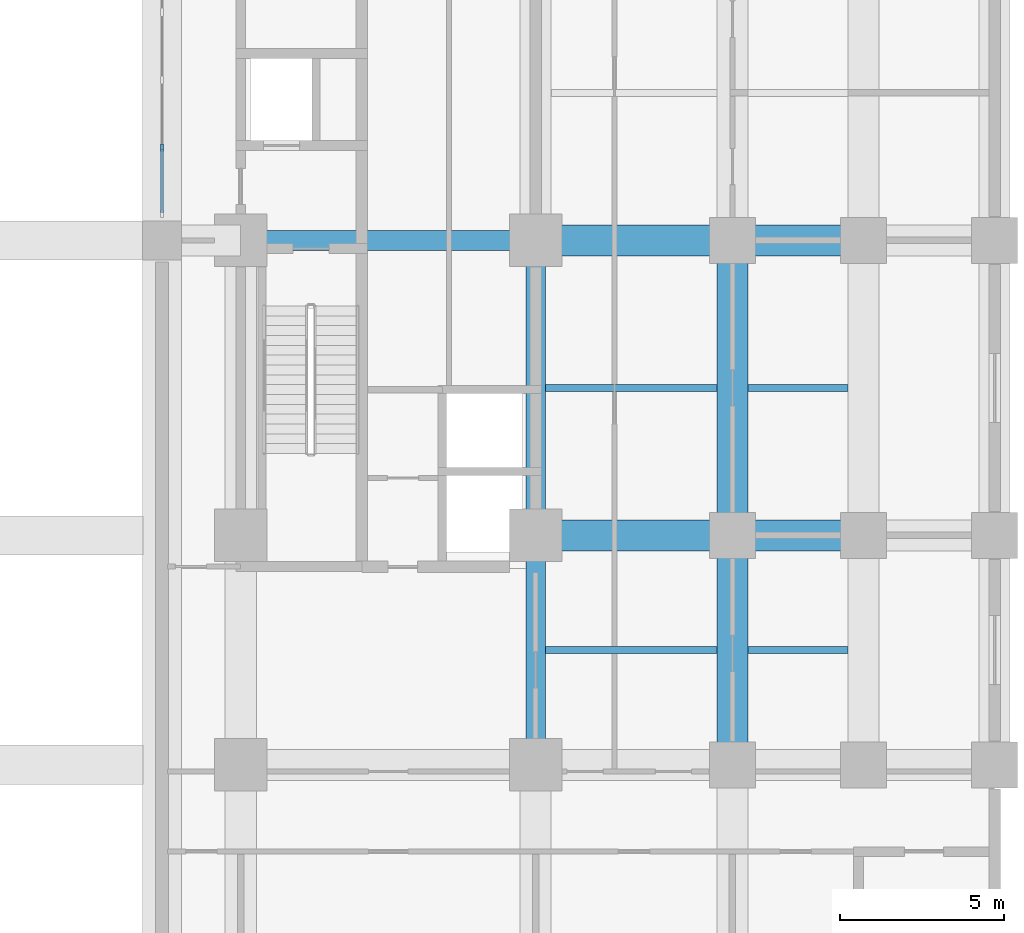
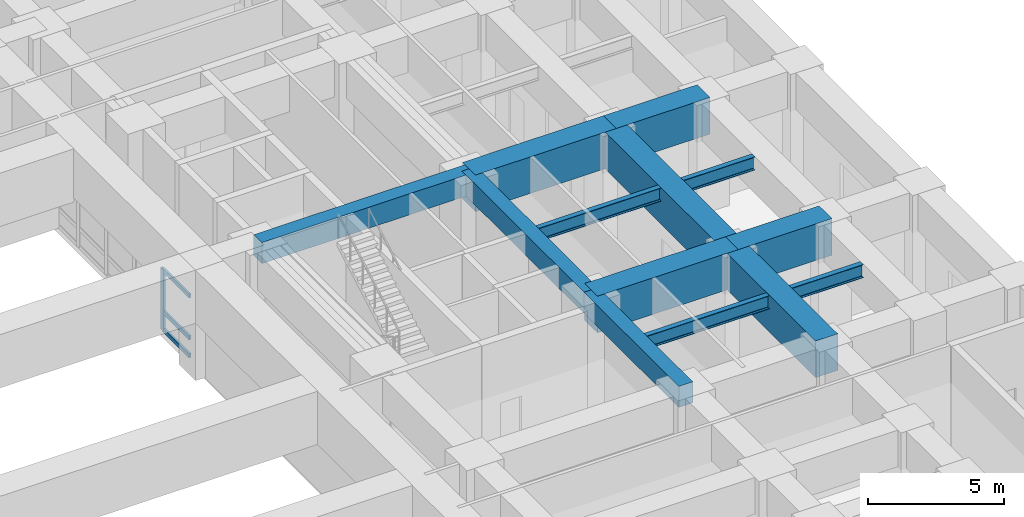
# One storey, part 4 of 24: 13 beams, 4 members, 1 element without a shape of its own.
"""IFC4 building model written with IfcOpenShell, lengths in metres."""

from ifc_helpers import new_model, si_unit, direction, frame, origin, origin_2d, place, context, subcontext, project, spatial, rectangle, i_section, extrude, material, material_profile, profile_set, type_object, element, aggregate, save


model = new_model("IFC4")

# Units and contexts
model_context = context("Model", 3, precision=1e-05, world=origin(), true_north=direction((0.0, 1.0)))
body_context = subcontext(model_context, "Body", "Model", "MODEL_VIEW")
ifc_project = project(units=[si_unit("LENGTHUNIT", "METRE"), si_unit("AREAUNIT", "SQUARE_METRE"), si_unit("VOLUMEUNIT", "CUBIC_METRE"), si_unit("PLANEANGLEUNIT", "RADIAN"), si_unit("MASSUNIT", "GRAM", prefix="KILO")], contexts=[model_context])

# Site, building, storey
site_placement = place(None, origin())
site = spatial("IfcSite", under=ifc_project, at=site_placement, CompositionType="ELEMENT")
building_placement = place(site_placement, origin())
building = spatial("IfcBuilding", under=site, at=building_placement, Name="Zulmaris Gate Convention Tower", CompositionType="ELEMENT")
storey_placement = place(building_placement, frame((0.0, 0.0, 16.320068359375)))
storey = spatial("IfcBuildingStorey", under=building, at=storey_placement, Name="L03", CompositionType="ELEMENT", Elevation=16.320068359375)

# Beams
ifc_material_1 = material(Name="Concrete C60/75", Category="concrete")
ifc_material_profile_1 = material_profile(ifc_material_1, rectangle(XDim=0.60009765625, YDim=0.949951171875, at=origin_2d()), Name="RC BEAM 600x950")
ifc_profile_set_1 = profile_set([ifc_material_profile_1], Name="Concrete C60/75")
beam_type_1 = type_object("IfcBeamType", Name="BM-RC600x950", PredefinedType="BEAM", material=ifc_profile_set_1)
beam_1_placement = place(storey_placement, frame((11.0, 0.0, 4.514892578125), z_axis=(1.0, 0.0, 0.0), x_axis=(0.0, 1.0, 0.0)))
element("IfcBeam", 1, at=beam_1_placement, inside=storey, type_object=beam_type_1, Name="L03 Beam BM-L03-X-+0.0-+11.0", PredefinedType="BEAM", context=body_context, shape_type="SweptSolid", body=[
    extrude(rectangle(XDim=0.60009765625, YDim=0.949951171875, at=origin_2d()), origin(), (0.0, 0.0, 1.0), 9.0),
])
beam_2_placement = place(storey_placement, frame((20.0, -16.0, 4.514892578125), z_axis=(0.0, 1.0, 0.0), x_axis=(-1.0, 0.0, 0.0)))
element("IfcBeam", 2, at=beam_2_placement, inside=storey, type_object=beam_type_1, Name="L03 Beam BM-L03-Y-+20.0--16.0", PredefinedType="BEAM", context=body_context, shape_type="SweptSolid", body=[
    extrude(rectangle(XDim=0.60009765625, YDim=0.949951171875, at=origin_2d()), origin(), (0.0, 0.0, 1.0), 7.0),
])
beam_3_placement = place(storey_placement, frame((20.0, -9.0, 4.514892578125), z_axis=(0.0, 1.0, 0.0), x_axis=(-1.0, 0.0, 0.0)))
element("IfcBeam", 3, at=beam_3_placement, inside=storey, type_object=beam_type_1, Name="L03 Beam BM-L03-Y-+20.0--9.0", PredefinedType="BEAM", context=body_context, shape_type="SweptSolid", body=[
    extrude(rectangle(XDim=0.60009765625, YDim=0.949951171875, at=origin_2d()), origin(), (0.0, 0.0, 1.0), 9.0),
])
ifc_material_2 = material(Name="Concrete C80/95", Category="concrete")
ifc_material_profile_2 = material_profile(ifc_material_2, rectangle(XDim=0.949951171875, YDim=1.64990234375, at=origin_2d()), Name="RC TRANSFER 950x1650")
ifc_profile_set_2 = profile_set([ifc_material_profile_2], Name="Concrete C80/95")
beam_type_2 = type_object("IfcBeamType", Name="BM-XFER1650", PredefinedType="BEAM", material=ifc_profile_set_2)
beam_4_placement = place(storey_placement, frame((26.0, -16.0, 4.1650390625), z_axis=(0.0, 1.0, 0.0), x_axis=(-1.0, 0.0, 0.0)))
element("IfcBeam", 4, at=beam_4_placement, inside=storey, type_object=beam_type_2, Name="L03 Beam XFSPY-L03-+26.0-4", PredefinedType="BEAM", context=body_context, shape_type="SweptSolid", body=[
    extrude(rectangle(XDim=0.949951171875, YDim=1.64990234375, at=origin_2d()), origin(), (0.0, 0.0, 1.0), 7.0),
])
beam_5_placement = place(storey_placement, frame((26.0, -9.0, 4.1650390625), z_axis=(0.0, 1.0, 0.0), x_axis=(-1.0, 0.0, 0.0)))
element("IfcBeam", 5, at=beam_5_placement, inside=storey, type_object=beam_type_2, Name="L03 Beam XFSPY-L03-+26.0-5", PredefinedType="BEAM", context=body_context, shape_type="SweptSolid", body=[
    extrude(rectangle(XDim=0.949951171875, YDim=1.64990234375, at=origin_2d()), origin(), (0.0, 0.0, 1.0), 9.0),
])
beam_6_placement = place(storey_placement, frame((20.0, -9.0, 4.1650390625), z_axis=(1.0, 0.0, 0.0), x_axis=(0.0, 1.0, 0.0)))
element("IfcBeam", 6, at=beam_6_placement, inside=storey, type_object=beam_type_2, Name="L03 Beam XFSPX-L03--9.0-9", PredefinedType="BEAM", context=body_context, shape_type="SweptSolid", body=[
    extrude(rectangle(XDim=0.949951171875, YDim=1.64990234375, at=origin_2d()), origin(), (0.0, 0.0, 1.0), 6.0),
])
beam_7_placement = place(storey_placement, frame((26.0, -9.0, 4.1650390625), z_axis=(1.0, 0.0, 0.0), x_axis=(0.0, 1.0, 0.0)))
element("IfcBeam", 7, at=beam_7_placement, inside=storey, type_object=beam_type_2, Name="L03 Beam XFSPX-L03--9.0-10", PredefinedType="BEAM", context=body_context, shape_type="SweptSolid", body=[
    extrude(rectangle(XDim=0.949951171875, YDim=1.64990234375, at=origin_2d()), origin(), (0.0, 0.0, 1.0), 4.0),
])
beam_8_placement = place(storey_placement, frame((20.0, 0.0, 4.1650390625), z_axis=(1.0, 0.0, 0.0), x_axis=(0.0, 1.0, 0.0)))
element("IfcBeam", 8, at=beam_8_placement, inside=storey, type_object=beam_type_2, Name="L03 Beam XFSPX-L03-+0.0-9", PredefinedType="BEAM", context=body_context, shape_type="SweptSolid", body=[
    extrude(rectangle(XDim=0.949951171875, YDim=1.64990234375, at=origin_2d()), origin(), (0.0, 0.0, 1.0), 6.0),
])
beam_9_placement = place(storey_placement, frame((26.0, 0.0, 4.1650390625), z_axis=(1.0, 0.0, 0.0), x_axis=(0.0, 1.0, 0.0)))
element("IfcBeam", 9, at=beam_9_placement, inside=storey, type_object=beam_type_2, Name="L03 Beam XFSPX-L03-+0.0-10", PredefinedType="BEAM", context=body_context, shape_type="SweptSolid", body=[
    extrude(rectangle(XDim=0.949951171875, YDim=1.64990234375, at=origin_2d()), origin(), (0.0, 0.0, 1.0), 4.0),
])

# Curtain wall, members
ifc_material_3 = material(Name="Anodised Aluminium", Category="aluminium")
curtain_wall_type = type_object("IfcCurtainWallType", Name="CW-02", PredefinedType="NOTDEFINED", material=ifc_material_3)
curtain_wall_placement = place(storey_placement, origin())
curtain_wall = element("IfcCurtainWall", 10, at=curtain_wall_placement, inside=storey, type_object=curtain_wall_type, Name="CW-02 CW02-L03-EL_0", PredefinedType="NOTDEFINED")
ifc_material_profile_3 = material_profile(ifc_material_3, rectangle(XDim=0.090087890625, YDim=0.219970703125, at=origin_2d()), Name="ALU MULLION 90x220")
ifc_profile_set_3 = profile_set([ifc_material_profile_3], Name="Anodised Aluminium")
member_type_1 = type_object("IfcMemberType", Name="CW-02-MULL", PredefinedType="MULLION", material=ifc_profile_set_3)
member_1_placement = place(storey_placement, frame((8.60009765625, 2.82861328125, 0.0), z_axis=(0.0, 0.0, 1.0), x_axis=(1.0, 0.0, 0.0)))
member_1 = element("IfcMember", 11, at=member_1_placement, type_object=member_type_1, Name="CW-02 mullion 7", PredefinedType="MULLION", context=body_context, shape_type="SweptSolid", body=[
    extrude(rectangle(XDim=0.090087890625, YDim=0.219970703125, at=origin_2d()), origin(), (0.0, 0.0, 1.0), 2.781982421875),
])
ifc_material_profile_4 = material_profile(ifc_material_3, rectangle(XDim=0.090087890625, YDim=0.179931640625, at=origin_2d()), Name="ALU TRANSOM 90x180")
ifc_profile_set_4 = profile_set([ifc_material_profile_4], Name="Anodised Aluminium")
member_type_2 = type_object("IfcMemberType", Name="CW-02-TRAN", PredefinedType="USERDEFINED", material=ifc_profile_set_4)
member_2_placement = place(storey_placement, frame((8.60009765625, 2.78369140625, 0.044921875), z_axis=(0.0, -1.0, 0.0), x_axis=(1.0, 0.0, 0.0)))
member_2 = element("IfcMember", 12, at=member_2_placement, type_object=member_type_2, Name="CW-02 transom 7.1", ObjectType="TRANSOM", PredefinedType="USERDEFINED", context=body_context, shape_type="SweptSolid", body=[
    extrude(rectangle(XDim=0.090087890625, YDim=0.179931640625, at=origin_2d()), origin(), (0.0, 0.0, 1.0), 1.93359375),
])
member_3_placement = place(storey_placement, frame((8.60009765625, 2.78369140625, 0.85009765625), z_axis=(0.0, -1.0, 0.0), x_axis=(1.0, 0.0, 0.0)))
member_3 = element("IfcMember", 13, at=member_3_placement, type_object=member_type_2, Name="CW-02 transom 7.2", ObjectType="TRANSOM", PredefinedType="USERDEFINED", context=body_context, shape_type="SweptSolid", body=[
    extrude(rectangle(XDim=0.090087890625, YDim=0.179931640625, at=origin_2d()), origin(), (0.0, 0.0, 1.0), 1.93359375),
])
member_4_placement = place(storey_placement, frame((8.60009765625, 2.78369140625, 2.73681640625), z_axis=(0.0, -1.0, 0.0), x_axis=(1.0, 0.0, 0.0)))
member_4 = element("IfcMember", 14, at=member_4_placement, type_object=member_type_2, Name="CW-02 transom 7.3", ObjectType="TRANSOM", PredefinedType="USERDEFINED", context=body_context, shape_type="SweptSolid", body=[
    extrude(rectangle(XDim=0.090087890625, YDim=0.179931640625, at=origin_2d()), origin(), (0.0, 0.0, 1.0), 1.93359375),
])
aggregate(curtain_wall, [member_1, member_2, member_3, member_4])

# Beams
ifc_material_4 = material(Name="Steel S355", Category="steel")
ifc_material_profile_5 = material_profile(ifc_material_4, i_section(OverallWidth=0.219970703125, OverallDepth=0.60009765625, WebThickness=0.011962890625, FlangeThickness=0.01904296875, FilletRadius=0.02392578125, at=origin_2d()), Name="IPE 600")
ifc_profile_set_5 = profile_set([ifc_material_profile_5], Name="Steel S355")
beam_type_3 = type_object("IfcBeamType", Name="JT-IPE600", PredefinedType="JOIST", material=ifc_profile_set_5)
for number, where, z_axis, x_axis, name in (
    (15, (20.300048828125, -12.5, 4.68798828125), (1.0, 0.0, 0.0), (0.0, 1.0, 0.0), "L03 Joist JT-L03-+20_+26--12.5"),
    (16, (20.300048828125, -4.5, 4.68798828125), (1.0, 0.0, 0.0), (0.0, 1.0, 0.0), "L03 Joist JT-L03-+20_+26--4.5"),
):
    element("IfcBeam", number, at=place(storey_placement, frame(where, z_axis=z_axis, x_axis=x_axis)), inside=storey, type_object=beam_type_3, Name=name, PredefinedType="JOIST", context=body_context, shape_type="SweptSolid", body=[
        extrude(i_section(OverallWidth=0.219970703125, OverallDepth=0.60009765625, WebThickness=0.011962890625, FlangeThickness=0.01904296875, FilletRadius=0.02392578125, at=origin_2d()), origin(), (0.0, 0.0, 1.0), 5.224853515625),
    ])
for number, where, z_axis, x_axis, name in (
    (17, (26.47509765625, -12.5, 4.68798828125), (1.0, 0.0, 0.0), (0.0, 1.0, 0.0), "L03 Joist JT-L03-+26_+30--12.5"),
    (18, (26.47509765625, -4.5, 4.68798828125), (1.0, 0.0, 0.0), (0.0, 1.0, 0.0), "L03 Joist JT-L03-+26_+30--4.5"),
):
    element("IfcBeam", number, at=place(storey_placement, frame(where, z_axis=z_axis, x_axis=x_axis)), inside=storey, type_object=beam_type_3, Name=name, PredefinedType="JOIST", context=body_context, shape_type="SweptSolid", body=[
        extrude(i_section(OverallWidth=0.219970703125, OverallDepth=0.60009765625, WebThickness=0.011962890625, FlangeThickness=0.01904296875, FilletRadius=0.02392578125, at=origin_2d()), origin(), (0.0, 0.0, 1.0), 3.0498046875),
    ])

save(model, "model.ifc")
